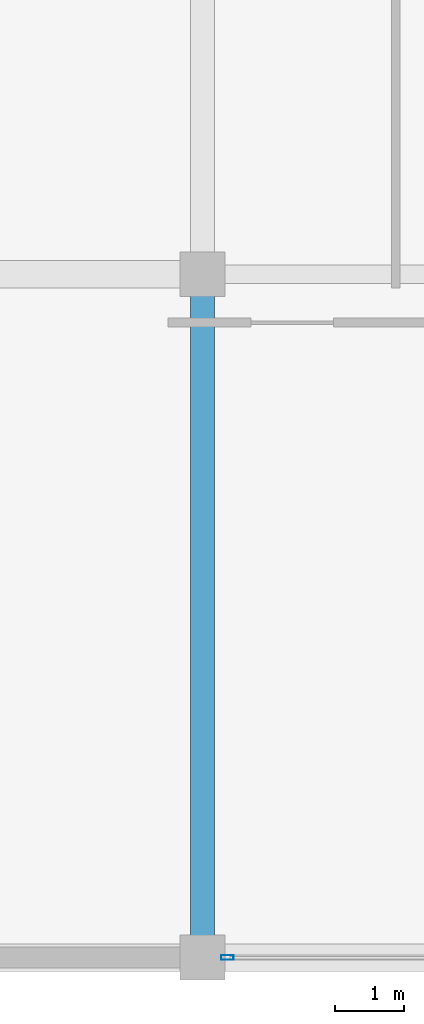
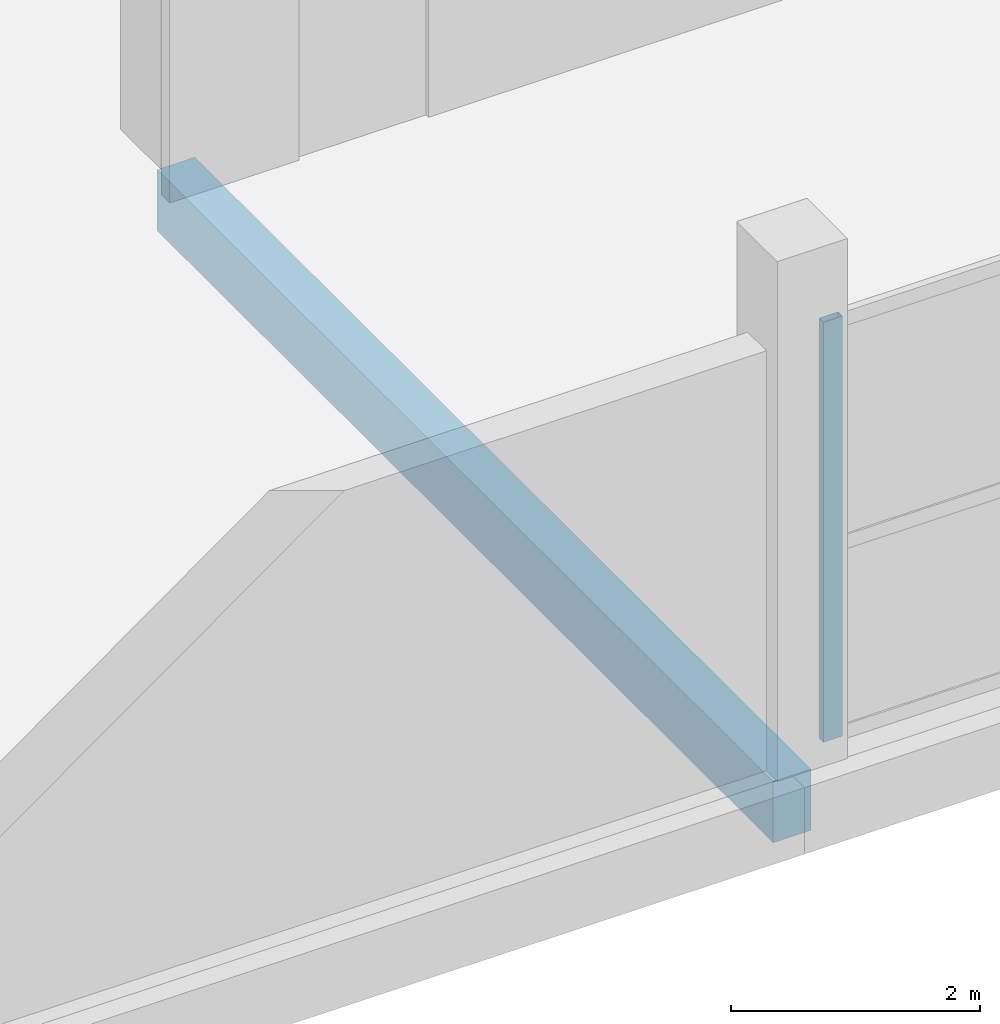
# One storey, part 10 of 66: 1 beam, 1 member, 1 element without a shape of its own.
"""IFC4 building model written with IfcOpenShell, lengths in metres."""

from ifc_helpers import new_model, si_unit, direction, frame, origin, origin_2d, place, context, subcontext, project, spatial, rectangle, hollow_rectangle, extrude, material, layer, layer_set, material_profile, profile_set, type_object, element, aggregate, save


model = new_model("IFC4")

# Units and contexts
model_context = context("Model", 3, precision=1e-05, world=origin(), true_north=direction((0.0, 1.0)))
body_context = subcontext(model_context, "Body", "Model", "MODEL_VIEW")
ifc_project = project(units=[si_unit("LENGTHUNIT", "METRE"), si_unit("AREAUNIT", "SQUARE_METRE"), si_unit("VOLUMEUNIT", "CUBIC_METRE"), si_unit("PLANEANGLEUNIT", "RADIAN"), si_unit("MASSUNIT", "GRAM", prefix="KILO")], contexts=[model_context])

# Site, building, storey
site_placement = place(None, origin())
site = spatial("IfcSite", under=ifc_project, at=site_placement, CompositionType="ELEMENT")
building_placement = place(site_placement, origin())
building = spatial("IfcBuilding", under=site, at=building_placement, Name="Sillaruma Civic Art Gallery", CompositionType="ELEMENT")
storey_placement = place(building_placement, frame((0.0, 0.0, 57.1201171875)))
storey = spatial("IfcBuildingStorey", under=building, at=storey_placement, Name="L11", CompositionType="ELEMENT", Elevation=57.1201171875)

# Beam
ifc_material_1 = material(Name="Concrete H35 (35 MPa)", Category="concrete")
ifc_material_profile_1 = material_profile(ifc_material_1, rectangle(XDim=0.35009765625, YDim=0.60009765625, at=origin_2d()), Name="RCB350x600")
ifc_profile_set_1 = profile_set([ifc_material_profile_1], Name="Concrete H35 (35 MPa)")
beam_type = type_object("IfcBeamType", Name="BM-BEAM-RCB350x600", PredefinedType="BEAM", material=ifc_profile_set_1)
beam_placement = place(storey_placement, frame((106.199951171875, 19.800048828125, -0.550048828125), z_axis=(0.0, 1.0, 0.0), x_axis=(-1.0, 0.0, 0.0)))
element("IfcBeam", 1, at=beam_placement, inside=storey, type_object=beam_type, Name="Beam BM-06 (L10:M:3-4)", PredefinedType="BEAM", context=body_context, shape_type="SweptSolid", body=[
    extrude(rectangle(XDim=0.35009765625, YDim=0.60009765625, at=origin_2d()), origin(), (0.0, 0.0, 1.0), 9.89990234375),
])

# Curtain wall, member
ifc_material_2 = material(Name="Thermally Broken Extruded Aluminium 6063-T6", Category="aluminium")
ifc_layer = layer(ifc_material_2, 0.179931640625, Name="Thermally Broken Extruded Aluminium 6063-T6")
ifc_layer_set = layer_set([ifc_layer], Name="Thermally Broken Extruded Aluminium 6063-T6")
curtain_wall_type = type_object("IfcCurtainWallType", Name="CW-UNI-87", PredefinedType="NOTDEFINED", material=ifc_layer_set)
curtain_wall_placement = place(storey_placement, origin())
curtain_wall = element("IfcCurtainWall", 2, at=curtain_wall_placement, inside=storey, type_object=curtain_wall_type, Name="Unitised Curtain Wall CW-87 (CW-L11-EBS-2)", PredefinedType="NOTDEFINED")
ifc_material_profile_2 = material_profile(ifc_material_2, hollow_rectangle(XDim=0.070068359375, YDim=0.179931640625, WallThickness=0.00390625, at=origin_2d()), Name="CWM70x180")
ifc_profile_set_2 = profile_set([ifc_material_profile_2], Name="Thermally Broken Extruded Aluminium 6063-T6")
member_type = type_object("IfcMemberType", Name="MEM-MUL-CWM70x180", PredefinedType="MULLION", material=ifc_profile_set_2)
member_placement = place(storey_placement, frame((106.56005859375, 19.800048828125, 0.0), z_axis=(0.0, 0.0, 1.0), x_axis=(0.0, 1.0, 0.0)))
member = element("IfcMember", 3, at=member_placement, type_object=member_type, Name="CW-87 mullion 1", PredefinedType="MULLION", context=body_context, shape_type="SweptSolid", body=[
    extrude(hollow_rectangle(XDim=0.070068359375, YDim=0.179931640625, WallThickness=0.00390625, at=origin_2d()), origin(), (0.0, 0.0, 1.0), 4.119873046875),
])
aggregate(curtain_wall, [member])

save(model, "model.ifc")
